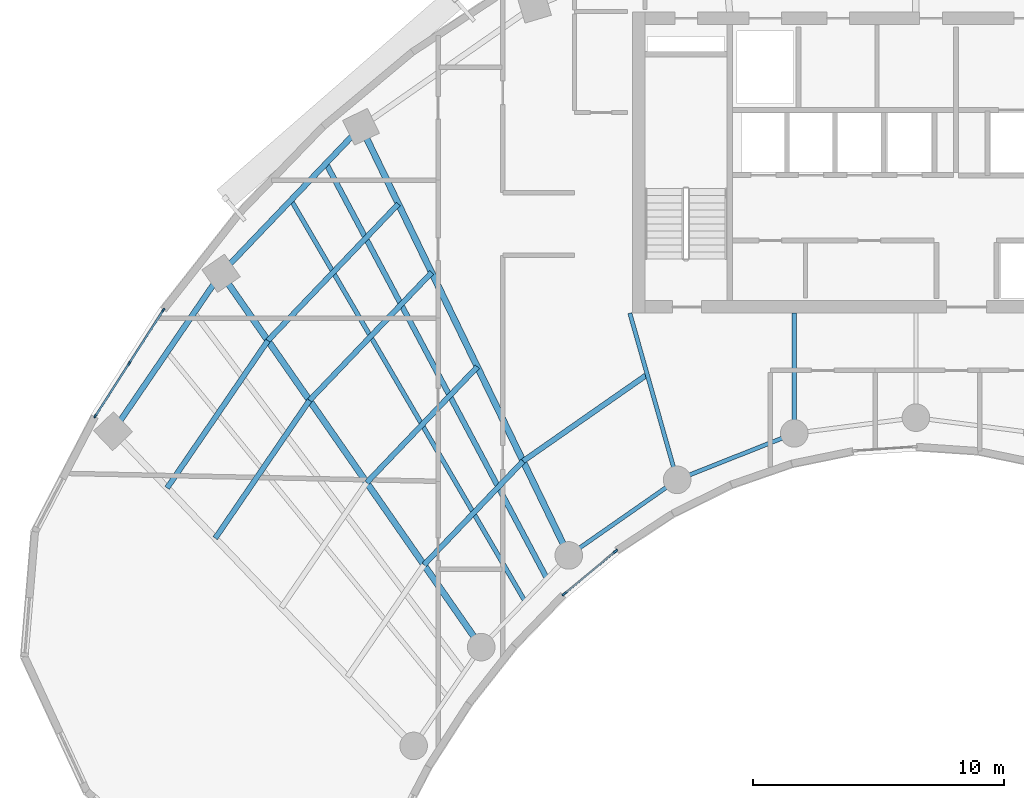
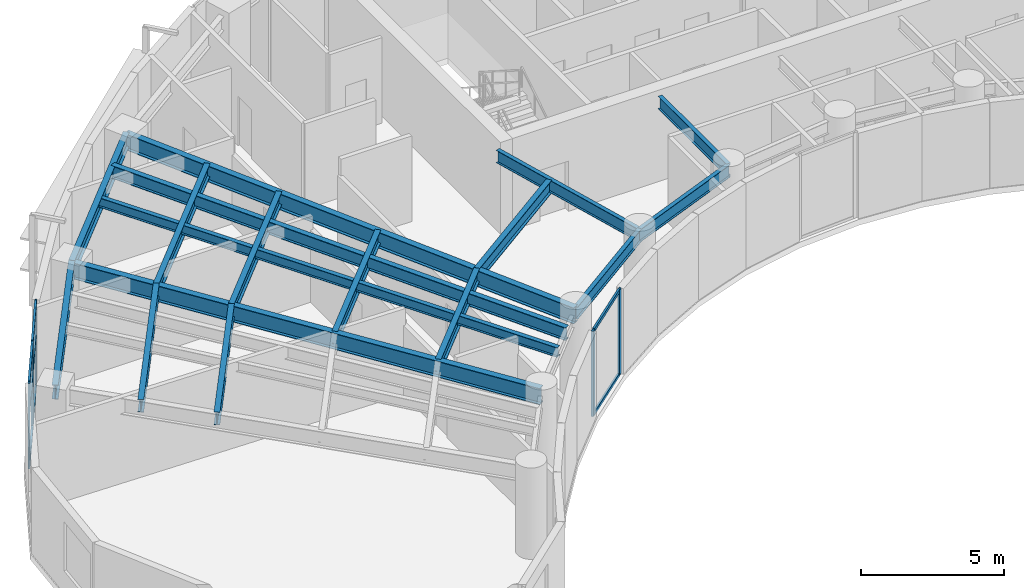
# One storey, part 2 of 13: 17 beams, 13 members, 2 elements without a shape of their own.
"""IFC4 building model written with IfcOpenShell, lengths in metres."""

from ifc_helpers import new_model, si_unit, direction, frame, origin, origin_2d, place, context, subcontext, project, spatial, rectangle, i_section, extrude, source, transform, mapped, material, layer, layer_set, material_profile, profile_set, type_object, type_shapes, element, aggregate, save


model = new_model("IFC4")

# Units and contexts
model_context = context("Model", 3, precision=1e-05, world=origin(), true_north=direction((0.0, 1.0)))
body_context = subcontext(model_context, "Body", "Model", "MODEL_VIEW")
ifc_project = project(units=[si_unit("LENGTHUNIT", "METRE"), si_unit("AREAUNIT", "SQUARE_METRE"), si_unit("VOLUMEUNIT", "CUBIC_METRE"), si_unit("PLANEANGLEUNIT", "RADIAN"), si_unit("MASSUNIT", "GRAM", prefix="KILO")], contexts=[model_context])

# Site, building, storey
site_placement = place(None, origin())
site = spatial("IfcSite", under=ifc_project, at=site_placement, CompositionType="ELEMENT")
building_placement = place(site_placement, origin())
building = spatial("IfcBuilding", under=site, at=building_placement, Name="Breltana Convention Tower", CompositionType="ELEMENT")
storey_placement = place(building_placement, frame((0.0, 0.0, 170.10009765625)))
storey = spatial("IfcBuildingStorey", under=building, at=storey_placement, Name="L41", CompositionType="ELEMENT", Elevation=170.10009765625)

# Beams
ifc_material_1 = material(Name="Steel ASTM A992 Grade 50", Category="steel")
ifc_material_profile_1 = material_profile(ifc_material_1, i_section(OverallWidth=0.179931640625, OverallDepth=0.4130859375, WebThickness=0.009765625, FlangeThickness=0.01611328125, at=origin_2d()), Name="W16X50")
ifc_profile_set_1 = profile_set([ifc_material_profile_1], Name="Steel ASTM A992 Grade 50")
beam_type_1 = type_object("IfcBeamType", Name="BM-JSG-08", PredefinedType="JOIST", material=ifc_profile_set_1)
shared_shape_1 = source(origin(), body_context, "Body", "SweptSolid", [
    extrude(i_section(OverallWidth=0.179931640625, OverallDepth=0.4130859375, WebThickness=0.009765625, FlangeThickness=0.01611328125, at=origin_2d()), origin(), (0.0, 0.0, 1.0), 18.50830078125),
])
beam_1_placement = place(storey_placement, frame((32.421630859375, 48.71875, 3.443359375), z_axis=(-0.50368319637, 0.863888440537, 0.0), x_axis=(-0.863888440537, -0.50368319637, 0.0)))
element("IfcBeam", 1, at=beam_1_placement, inside=storey, type_object=beam_type_1, Name="L41 Mid-Bay Radial Trimmer 02", PredefinedType="JOIST", context=body_context, shape_type="MappedRepresentation", body=[
    mapped(shared_shape_1, transform((0.0, 0.0, 0.0), scale=1.0)),
])
ifc_material_profile_2 = material_profile(ifc_material_1, i_section(OverallWidth=0.214111328125, OverallDepth=0.549072265625, WebThickness=0.0146484375, FlangeThickness=0.023681640625, at=origin_2d()), Name="W21X93")
ifc_profile_set_2 = profile_set([ifc_material_profile_2], Name="Steel ASTM A992 Grade 50")
beam_type_2 = type_object("IfcBeamType", Name="BM-JSG-03", PredefinedType="JOIST", material=ifc_profile_set_2)
shared_shape_2 = source(origin(), body_context, "Body", "SweptSolid", [
    extrude(i_section(OverallWidth=0.214111328125, OverallDepth=0.549072265625, WebThickness=0.0146484375, FlangeThickness=0.023681640625, at=origin_2d()), origin(), (0.0, 0.0, 1.0), 18.731689453125),
])
beam_2_placement = place(storey_placement, frame((33.2939453125, 49.6318359375, 3.37548828125), z_axis=(-0.469820250451, 0.882762104004, 0.0), x_axis=(-0.882762104004, -0.469820250451, 0.0)))
element("IfcBeam", 2, at=beam_2_placement, inside=storey, type_object=beam_type_2, Name="L41 Quarter-Bay Radial Trimmer 02", PredefinedType="JOIST", context=body_context, shape_type="MappedRepresentation", body=[
    mapped(shared_shape_2, transform((0.0, 0.0, 0.0), scale=1.0)),
])
shared_shape_3 = source(origin(), body_context, "Body", "SweptSolid", [
    extrude(i_section(OverallWidth=0.214111328125, OverallDepth=0.549072265625, WebThickness=0.0146484375, FlangeThickness=0.023681640625, at=origin_2d()), origin(), (0.0, 0.0, 1.0), 6.654541015625),
])
beam_3_placement = place(storey_placement, frame((20.0791015625, 51.23095703125, 3.37548828125), z_axis=(0.564482668195, 0.82544492082, 0.0), x_axis=(-0.82544492082, 0.564482668195, 0.0)))
element("IfcBeam", 3, at=beam_3_placement, inside=storey, type_object=beam_type_2, Name="L41 Composite Floor Joist 01.3", PredefinedType="JOIST", context=body_context, shape_type="MappedRepresentation", body=[
    mapped(shared_shape_3, transform((0.0, 0.0, 0.0), scale=1.0)),
])
shared_shape_4 = source(origin(), body_context, "Body", "SweptSolid", [
    extrude(i_section(OverallWidth=0.214111328125, OverallDepth=0.549072265625, WebThickness=0.0146484375, FlangeThickness=0.023681640625, at=origin_2d()), origin(), (0.0, 0.0, 1.0), 7.111328125),
])
beam_4_placement = place(storey_placement, frame((18.162841796875, 53.2373046875, 3.37548828125), z_axis=(0.564446356178, 0.825469751715, 0.0), x_axis=(-0.825469751715, 0.564446356178, 0.0)))
element("IfcBeam", 4, at=beam_4_placement, inside=storey, type_object=beam_type_2, Name="L41 Composite Floor Joist 01.4", PredefinedType="JOIST", context=body_context, shape_type="MappedRepresentation", body=[
    mapped(shared_shape_4, transform((0.0, 0.0, 0.0), scale=1.0)),
])
shared_shape_5 = source(origin(), body_context, "Body", "SweptSolid", [
    extrude(i_section(OverallWidth=0.214111328125, OverallDepth=0.549072265625, WebThickness=0.0146484375, FlangeThickness=0.023681640625, at=origin_2d()), origin(), (0.0, 0.0, 1.0), 5.716064453125),
])
beam_5_placement = place(storey_placement, frame((28.396484375, 50.169677734375, 3.37548828125), z_axis=(0.690756060045, 0.723087868458, 0.0), x_axis=(-0.723087868458, 0.690756060045, 0.0)))
element("IfcBeam", 5, at=beam_5_placement, inside=storey, type_object=beam_type_2, Name="L41 Composite Floor Joist 02.1", PredefinedType="JOIST", context=body_context, shape_type="MappedRepresentation", body=[
    mapped(shared_shape_5, transform((0.0, 0.0, 0.0), scale=1.0)),
])
shared_shape_6 = source(origin(), body_context, "Body", "SweptSolid", [
    extrude(i_section(OverallWidth=0.214111328125, OverallDepth=0.549072265625, WebThickness=0.0146484375, FlangeThickness=0.023681640625, at=origin_2d()), origin(), (0.0, 0.0, 1.0), 6.381103515625),
])
beam_6_placement = place(storey_placement, frame((26.115966796875, 53.44677734375, 3.37548828125), z_axis=(0.690737768889, 0.723105341309, 0.0), x_axis=(-0.723105341309, 0.690737768889, 0.0)))
element("IfcBeam", 6, at=beam_6_placement, inside=storey, type_object=beam_type_2, Name="L41 Composite Floor Joist 02.2", PredefinedType="JOIST", context=body_context, shape_type="MappedRepresentation", body=[
    mapped(shared_shape_6, transform((0.0, 0.0, 0.0), scale=1.0)),
])
shared_shape_7 = source(origin(), body_context, "Body", "SweptSolid", [
    extrude(i_section(OverallWidth=0.214111328125, OverallDepth=0.549072265625, WebThickness=0.0146484375, FlangeThickness=0.023681640625, at=origin_2d()), origin(), (0.0, 0.0, 1.0), 7.046142578125),
])
beam_7_placement = place(storey_placement, frame((23.83544921875, 56.723876953125, 3.37548828125), z_axis=(0.690722929904, 0.723119515782, 0.0), x_axis=(-0.723119515782, 0.690722929904, 0.0)))
element("IfcBeam", 7, at=beam_7_placement, inside=storey, type_object=beam_type_2, Name="L41 Composite Floor Joist 02.3", PredefinedType="JOIST", context=body_context, shape_type="MappedRepresentation", body=[
    mapped(shared_shape_7, transform((0.0, 0.0, 0.0), scale=1.0)),
])
shared_shape_8 = source(origin(), body_context, "Body", "SweptSolid", [
    extrude(i_section(OverallWidth=0.214111328125, OverallDepth=0.549072265625, WebThickness=0.0146484375, FlangeThickness=0.023681640625, at=origin_2d()), origin(), (0.0, 0.0, 1.0), 7.529541015625),
])
beam_8_placement = place(storey_placement, frame((22.1767578125, 59.107421875, 3.37548828125), z_axis=(0.690725562031, 0.723117001568, 0.0), x_axis=(-0.723117001568, 0.690725562031, 0.0)))
element("IfcBeam", 8, at=beam_8_placement, inside=storey, type_object=beam_type_2, Name="L41 Composite Floor Joist 02.4", PredefinedType="JOIST", context=body_context, shape_type="MappedRepresentation", body=[
    mapped(shared_shape_8, transform((0.0, 0.0, 0.0), scale=1.0)),
])
shared_shape_9 = source(origin(), body_context, "Body", "SweptSolid", [
    extrude(i_section(OverallWidth=0.214111328125, OverallDepth=0.549072265625, WebThickness=0.0146484375, FlangeThickness=0.023681640625, at=origin_2d()), origin(), (0.0, 0.0, 1.0), 5.959228515625),
])
beam_9_placement = place(storey_placement, frame((32.344970703125, 54.302978515625, 3.37548828125), z_axis=(0.820160485262, 0.572133531979, 0.0), x_axis=(-0.572133531979, 0.820160485262, 0.0)))
element("IfcBeam", 9, at=beam_9_placement, inside=storey, type_object=beam_type_2, Name="L41 Composite Floor Joist 03.1", PredefinedType="JOIST", context=body_context, shape_type="MappedRepresentation", body=[
    mapped(shared_shape_9, transform((0.0, 0.0, 0.0), scale=1.0)),
])
ifc_material_profile_3 = material_profile(ifc_material_1, i_section(OverallWidth=0.25390625, OverallDepth=0.68798828125, WebThickness=0.01318359375, FlangeThickness=0.02099609375, at=origin_2d()), Name="W27X102")
ifc_profile_set_3 = profile_set([ifc_material_profile_3], Name="Steel ASTM A992 Grade 50")
beam_type_3 = type_object("IfcBeamType", Name="BM-RG-W27X102", PredefinedType="USERDEFINED", material=ifc_profile_set_3)
shared_shape_10 = source(origin(), body_context, "Body", "SweptSolid", [
    extrude(i_section(OverallWidth=0.25390625, OverallDepth=0.68798828125, WebThickness=0.01318359375, FlangeThickness=0.02099609375, at=origin_2d()), origin(), (0.0, 0.0, 1.0), 18.1484375),
])
beam_10_placement = place(storey_placement, frame((30.67724609375, 46.892333984375, 3.305908203125), z_axis=(-0.571207556098, 0.820805657788, 0.0), x_axis=(-0.820805657788, -0.571207556098, 0.0)))
element("IfcBeam", 10, at=beam_10_placement, inside=storey, type_object=beam_type_3, Name="L41 Radial Floor Girder R02", ObjectType="GIRDER", PredefinedType="USERDEFINED", context=body_context, shape_type="MappedRepresentation", body=[
    mapped(shared_shape_10, transform((0.0, 0.0, 0.0), scale=1.0)),
])
shared_shape_11 = source(origin(), body_context, "Body", "SweptSolid", [
    extrude(i_section(OverallWidth=0.25390625, OverallDepth=0.68798828125, WebThickness=0.01318359375, FlangeThickness=0.02099609375, at=origin_2d()), origin(), (0.0, 0.0, 1.0), 18.982421875),
])
beam_11_placement = place(storey_placement, frame((34.166259765625, 50.544921875, 3.305908203125), z_axis=(-0.436118560343, 0.89988921614, 0.0), x_axis=(-0.89988921614, -0.436118560343, 0.0)))
element("IfcBeam", 11, at=beam_11_placement, inside=storey, type_object=beam_type_3, Name="L41 Radial Floor Girder R03", ObjectType="GIRDER", PredefinedType="USERDEFINED", context=body_context, shape_type="MappedRepresentation", body=[
    mapped(shared_shape_11, transform((0.0, 0.0, 0.0), scale=1.0)),
])
ifc_material_profile_4 = material_profile(ifc_material_1, i_section(OverallWidth=0.166015625, OverallDepth=0.534912109375, WebThickness=0.01025390625, FlangeThickness=0.0166015625, at=origin_2d()), Name="W21X57")
ifc_profile_set_4 = profile_set([ifc_material_profile_4], Name="Steel ASTM A992 Grade 50")
beam_type_4 = type_object("IfcBeamType", Name="BM-BM-W21X57", PredefinedType="BEAM", material=ifc_profile_set_4)
shared_shape_12 = source(origin(), body_context, "Body", "SweptSolid", [
    extrude(i_section(OverallWidth=0.166015625, OverallDepth=0.534912109375, WebThickness=0.01025390625, FlangeThickness=0.0166015625, at=origin_2d()), origin(), (0.0, 0.0, 1.0), 6.904541015625),
])
type_shapes(beam_type_4, [shared_shape_12])
beam_12_placement = place(storey_placement, frame((36.60009765625, 60.199951171875, 3.38232421875), z_axis=(0.273006781054, -0.962012108811, 0.0), x_axis=(0.962012108811, 0.273006781054, 0.0)))
element("IfcBeam", 12, at=beam_12_placement, inside=storey, type_object=beam_type_4, Name="L41 South Core Tie Girder R04", PredefinedType="BEAM", context=body_context, shape_type="MappedRepresentation", body=[
    mapped(shared_shape_12, transform((0.0, 0.0, 0.0), scale=1.0)),
])
shared_shape_13 = source(origin(), body_context, "Body", "SweptSolid", [
    extrude(i_section(OverallWidth=0.166015625, OverallDepth=0.534912109375, WebThickness=0.01025390625, FlangeThickness=0.0166015625, at=origin_2d()), origin(), (0.0, 0.0, 1.0), 4.789306640625),
])
beam_13_placement = place(storey_placement, frame((43.153564453125, 60.199951171875, 3.38232421875), z_axis=(0.0, -1.0, 0.0), x_axis=(1.0, 0.0, 0.0)))
element("IfcBeam", 13, at=beam_13_placement, inside=storey, type_object=beam_type_4, Name="L41 South Core Tie Girder R05", PredefinedType="BEAM", context=body_context, shape_type="MappedRepresentation", body=[
    mapped(shared_shape_13, transform((0.0, 0.0, 0.0), scale=1.0)),
])
ifc_material_profile_5 = material_profile(ifc_material_1, i_section(OverallWidth=0.22802734375, OverallDepth=0.60791015625, WebThickness=0.01123046875, FlangeThickness=0.017333984375, at=origin_2d()), Name="W24X76")
ifc_profile_set_5 = profile_set([ifc_material_profile_5], Name="Steel ASTM A992 Grade 50")
beam_type_5 = type_object("IfcBeamType", Name="BM-SP-W24X76", PredefinedType="SPANDREL", material=ifc_profile_set_5)
shared_shape_14 = source(origin(), body_context, "Body", "SweptSolid", [
    extrude(i_section(OverallWidth=0.22802734375, OverallDepth=0.60791015625, WebThickness=0.01123046875, FlangeThickness=0.017333984375, at=origin_2d()), origin(), (0.0, 0.0, 1.0), 7.625),
])
type_shapes(beam_type_5, [shared_shape_14])
beam_14_placement = place(storey_placement, frame((16.0068359375, 55.494384765625, 3.345947265625), z_axis=(0.564452031902, 0.825465870694, 0.0), x_axis=(-0.825465870694, 0.564452031902, 0.0)))
element("IfcBeam", 14, at=beam_14_placement, inside=storey, type_object=beam_type_5, Name="L41 Outer Spandrel Beam 01", PredefinedType="SPANDREL", context=body_context, shape_type="MappedRepresentation", body=[
    mapped(shared_shape_14, transform((0.0, 0.0, 0.0), scale=1.0)),
])
shared_shape_15 = source(origin(), body_context, "Body", "SweptSolid", [
    extrude(i_section(OverallWidth=0.22802734375, OverallDepth=0.60791015625, WebThickness=0.01123046875, FlangeThickness=0.017333984375, at=origin_2d()), origin(), (0.0, 0.0, 1.0), 8.073974609375),
])
beam_15_placement = place(storey_placement, frame((20.310791015625, 61.78857421875, 3.345947265625), z_axis=(0.69072885448, 0.723113856588, 0.0), x_axis=(-0.723113856588, 0.69072885448, 0.0)))
element("IfcBeam", 15, at=beam_15_placement, inside=storey, type_object=beam_type_5, Name="L41 Outer Spandrel Beam 02", PredefinedType="SPANDREL", context=body_context, shape_type="MappedRepresentation", body=[
    mapped(shared_shape_15, transform((0.0, 0.0, 0.0), scale=1.0)),
])
shared_shape_16 = source(origin(), body_context, "Body", "SweptSolid", [
    extrude(i_section(OverallWidth=0.166015625, OverallDepth=0.534912109375, WebThickness=0.01025390625, FlangeThickness=0.0166015625, at=origin_2d()), origin(), (0.0, 0.0, 1.0), 5.265869140625),
])
beam_16_placement = place(storey_placement, frame((34.166259765625, 50.544921875, 3.38232421875), z_axis=(0.820167429517, 0.572123577176, 0.0), x_axis=(-0.572123577176, 0.820167429517, 0.0)))
element("IfcBeam", 16, at=beam_16_placement, inside=storey, type_object=beam_type_4, Name="L41 Inner Ring Beam 03", PredefinedType="BEAM", context=body_context, shape_type="MappedRepresentation", body=[
    mapped(shared_shape_16, transform((0.0, 0.0, 0.0), scale=1.0)),
])
shared_shape_17 = source(origin(), body_context, "Body", "SweptSolid", [
    extrude(i_section(OverallWidth=0.166015625, OverallDepth=0.534912109375, WebThickness=0.01025390625, FlangeThickness=0.0166015625, at=origin_2d()), origin(), (0.0, 0.0, 1.0), 5.022705078125),
])
beam_17_placement = place(storey_placement, frame((38.485107421875, 53.5576171875, 3.38232421875), z_axis=(0.929458966248, 0.368925507469, 0.0), x_axis=(-0.368925507469, 0.929458966248, 0.0)))
element("IfcBeam", 17, at=beam_17_placement, inside=storey, type_object=beam_type_4, Name="L41 Inner Ring Beam 04", PredefinedType="BEAM", context=body_context, shape_type="MappedRepresentation", body=[
    mapped(shared_shape_17, transform((0.0, 0.0, 0.0), scale=1.0)),
])

# Curtain wall, members
ifc_material_2 = material(Name="Aluminium Anodised Bronze Frame", Category="aluminium")
ifc_layer_1 = layer(ifc_material_2, 0.18994140625, Name="Aluminium Anodised Bronze Frame")
ifc_layer_set_1 = layer_set([ifc_layer_1], Name="Aluminium Anodised Bronze Frame")
curtain_wall_type_1 = type_object("IfcCurtainWallType", Name="CW-SYS-1", PredefinedType="NOTDEFINED", material=ifc_layer_set_1)
curtain_wall_1_placement = place(storey_placement, origin())
curtain_wall_1 = element("IfcCurtainWall", 18, at=curtain_wall_1_placement, inside=storey, type_object=curtain_wall_type_1, Name="L41 inner south-court glazing 5", PredefinedType="NOTDEFINED")
ifc_material_3 = material(Name="Aluminium Anodised Bronze", Category="aluminium")
ifc_material_profile_6 = material_profile(ifc_material_3, rectangle(XDim=0.080078125, YDim=0.199951171875, at=origin_2d()), Name="CWM-80X200")
ifc_profile_set_6 = profile_set([ifc_material_profile_6], Name="Aluminium Anodised Bronze")
member_type_1 = type_object("IfcMemberType", Name="CWM-200", PredefinedType="MULLION", material=ifc_profile_set_6)
shared_shape_18 = source(origin(), body_context, "Body", "SweptSolid", [
    extrude(rectangle(XDim=0.080078125, YDim=0.199951171875, at=origin_2d()), origin(), (0.0, 0.0, 1.0), 3.64990234375),
])
member_1_placement = place(storey_placement, frame((36.024658203125, 50.709228515625, 0.0), z_axis=(0.0, 0.0, 1.0), x_axis=(0.640537495741, -0.767926895316, 0.0)))
member_1 = element("IfcMember", 19, at=member_1_placement, type_object=member_type_1, Name="CW-01 mullion 1", PredefinedType="MULLION", context=body_context, shape_type="MappedRepresentation", body=[
    mapped(shared_shape_18, transform((0.0, 0.0, 0.0), scale=1.0)),
])
member_2_placement = place(storey_placement, frame((33.989990234375, 49.01220703125, 0.0), z_axis=(0.0, 0.0, 1.0), x_axis=(0.640537495741, -0.767926895316, 0.0)))
member_2 = element("IfcMember", 20, at=member_2_placement, type_object=member_type_1, Name="CW-01 mullion 2", PredefinedType="MULLION", context=body_context, shape_type="MappedRepresentation", body=[
    mapped(shared_shape_18, transform((0.0, 0.0, 0.0), scale=1.0)),
])

ifc_layer_2 = layer(ifc_material_2, 0.2099609375, Name="Aluminium Anodised Bronze Frame")
ifc_layer_set_2 = layer_set([ifc_layer_2], Name="Aluminium Anodised Bronze Frame")
curtain_wall_type_2 = type_object("IfcCurtainWallType", Name="CW-SYS-3", PredefinedType="NOTDEFINED", material=ifc_layer_set_2)
curtain_wall_2_placement = place(storey_placement, origin())
curtain_wall_2 = element("IfcCurtainWall", 21, at=curtain_wall_2_placement, inside=storey, type_object=curtain_wall_type_2, Name="L41 outer double-skin inner glazing 1", PredefinedType="NOTDEFINED")
ifc_material_profile_7 = material_profile(ifc_material_3, rectangle(XDim=0.070068359375, YDim=0.175048828125, at=origin_2d()), Name="CWM-70X175")
ifc_profile_set_7 = profile_set([ifc_material_profile_7], Name="Aluminium Anodised Bronze")
member_type_2 = type_object("IfcMemberType", Name="CWM-175", PredefinedType="MULLION", material=ifc_profile_set_7)
shared_shape_19 = source(origin(), body_context, "Body", "SweptSolid", [
    extrude(rectangle(XDim=0.070068359375, YDim=0.175048828125, at=origin_2d()), origin(), (0.0, 0.0, 1.0), 3.64990234375),
])
member_3_placement = place(storey_placement, frame((15.304443359375, 56.10498046875, 0.0), z_axis=(0.0, 0.0, 1.0), x_axis=(-0.841554203529, 0.54017267843, 0.0)))
member_3 = element("IfcMember", 22, at=member_3_placement, type_object=member_type_2, Name="CW-03 mullion 1", PredefinedType="MULLION", context=body_context, shape_type="MappedRepresentation", body=[
    mapped(shared_shape_19, transform((0.0, 0.0, 0.0), scale=1.0)),
])
member_4_placement = place(storey_placement, frame((16.6533203125, 58.20654296875, 0.0), z_axis=(0.0, 0.0, 1.0), x_axis=(-0.841554203529, 0.54017267843, 0.0)))
member_4 = element("IfcMember", 23, at=member_4_placement, type_object=member_type_2, Name="CW-03 mullion 2", PredefinedType="MULLION", context=body_context, shape_type="MappedRepresentation", body=[
    mapped(shared_shape_19, transform((0.0, 0.0, 0.0), scale=1.0)),
])
member_5_placement = place(storey_placement, frame((18.00244140625, 60.308349609375, 0.0), z_axis=(0.0, 0.0, 1.0), x_axis=(-0.841554203529, 0.54017267843, 0.0)))
member_5 = element("IfcMember", 24, at=member_5_placement, type_object=member_type_2, Name="CW-03 mullion 3", PredefinedType="MULLION", context=body_context, shape_type="MappedRepresentation", body=[
    mapped(shared_shape_19, transform((0.0, 0.0, 0.0), scale=1.0)),
])

# Member
ifc_material_profile_8 = material_profile(ifc_material_3, rectangle(XDim=0.080078125, YDim=0.139892578125, at=origin_2d()), Name="CWT-80X140")
ifc_profile_set_8 = profile_set([ifc_material_profile_8], Name="Aluminium Anodised Bronze")
member_type_3 = type_object("IfcMemberType", Name="CWT-140", PredefinedType="USERDEFINED", material=ifc_profile_set_8)
shared_shape_20 = source(origin(), body_context, "Body", "SweptSolid", [
    extrude(rectangle(XDim=0.080078125, YDim=0.139892578125, at=origin_2d()), origin(), (0.0, 0.0, 1.0), 2.5693359375),
])
member_6_placement = place(storey_placement, frame((35.993896484375, 50.68359375, 0.039794921875), z_axis=(-0.767940822982, -0.640520797788, 0.0), x_axis=(0.640520797788, -0.767940822982, 0.0)))
member_6 = element("IfcMember", 25, at=member_6_placement, type_object=member_type_3, Name="CW-01 transom 1.1", ObjectType="TRANSOM", PredefinedType="USERDEFINED", context=body_context, shape_type="MappedRepresentation", body=[
    mapped(shared_shape_20, transform((0.0, 0.0, 0.0), scale=1.0)),
])

member_7_placement = place(storey_placement, frame((35.993896484375, 50.68359375, 3.60986328125), z_axis=(-0.767940822982, -0.640520797788, 0.0), x_axis=(0.640520797788, -0.767940822982, 0.0)))
member_7 = element("IfcMember", 26, at=member_7_placement, type_object=member_type_3, Name="CW-01 transom 1.2", ObjectType="TRANSOM", PredefinedType="USERDEFINED", context=body_context, shape_type="MappedRepresentation", body=[
    mapped(shared_shape_20, transform((0.0, 0.0, 0.0), scale=1.0)),
])

aggregate(curtain_wall_1, [member_1, member_2, member_6, member_7])

shared_shape_21 = source(origin(), body_context, "Body", "SweptSolid", [
    extrude(rectangle(XDim=0.080078125, YDim=0.139892578125, at=origin_2d()), origin(), (0.0, 0.0, 1.0), 2.427490234375),
])
member_8_placement = place(storey_placement, frame((15.3232421875, 56.134521484375, 0.039794921875), z_axis=(0.540203388332, 0.841534490817, 0.0), x_axis=(-0.841534490817, 0.540203388332, 0.0)))
member_8 = element("IfcMember", 27, at=member_8_placement, type_object=member_type_3, Name="CW-03 transom 1.1", ObjectType="TRANSOM", PredefinedType="USERDEFINED", context=body_context, shape_type="MappedRepresentation", body=[
    mapped(shared_shape_21, transform((0.0, 0.0, 0.0), scale=1.0)),
])

member_9_placement = place(storey_placement, frame((15.3232421875, 56.134521484375, 2.372314453125), z_axis=(0.540203388332, 0.841534490817, 0.0), x_axis=(-0.841534490817, 0.540203388332, 0.0)))
member_9 = element("IfcMember", 28, at=member_9_placement, type_object=member_type_3, Name="CW-03 transom 1.2", ObjectType="TRANSOM", PredefinedType="USERDEFINED", context=body_context, shape_type="MappedRepresentation", body=[
    mapped(shared_shape_21, transform((0.0, 0.0, 0.0), scale=1.0)),
])

member_10_placement = place(storey_placement, frame((15.3232421875, 56.134521484375, 3.60986328125), z_axis=(0.540203388332, 0.841534490817, 0.0), x_axis=(-0.841534490817, 0.540203388332, 0.0)))
member_10 = element("IfcMember", 29, at=member_10_placement, type_object=member_type_3, Name="CW-03 transom 1.3", ObjectType="TRANSOM", PredefinedType="USERDEFINED", context=body_context, shape_type="MappedRepresentation", body=[
    mapped(shared_shape_21, transform((0.0, 0.0, 0.0), scale=1.0)),
])

shared_shape_22 = source(origin(), body_context, "Body", "SweptSolid", [
    extrude(rectangle(XDim=0.080078125, YDim=0.139892578125, at=origin_2d()), origin(), (0.0, 0.0, 1.0), 2.42724609375),
])
member_11_placement = place(storey_placement, frame((16.67236328125, 58.236083984375, 0.039794921875), z_axis=(0.540132155308, 0.841580212934, 0.0), x_axis=(-0.841580212934, 0.540132155308, 0.0)))
member_11 = element("IfcMember", 30, at=member_11_placement, type_object=member_type_3, Name="CW-03 transom 2.1", ObjectType="TRANSOM", PredefinedType="USERDEFINED", context=body_context, shape_type="MappedRepresentation", body=[
    mapped(shared_shape_22, transform((0.0, 0.0, 0.0), scale=1.0)),
])

member_12_placement = place(storey_placement, frame((16.67236328125, 58.236083984375, 2.372314453125), z_axis=(0.540132155308, 0.841580212934, 0.0), x_axis=(-0.841580212934, 0.540132155308, 0.0)))
member_12 = element("IfcMember", 31, at=member_12_placement, type_object=member_type_3, Name="CW-03 transom 2.2", ObjectType="TRANSOM", PredefinedType="USERDEFINED", context=body_context, shape_type="MappedRepresentation", body=[
    mapped(shared_shape_22, transform((0.0, 0.0, 0.0), scale=1.0)),
])

member_13_placement = place(storey_placement, frame((16.67236328125, 58.236083984375, 3.60986328125), z_axis=(0.540132155308, 0.841580212934, 0.0), x_axis=(-0.841580212934, 0.540132155308, 0.0)))
member_13 = element("IfcMember", 32, at=member_13_placement, type_object=member_type_3, Name="CW-03 transom 2.3", ObjectType="TRANSOM", PredefinedType="USERDEFINED", context=body_context, shape_type="MappedRepresentation", body=[
    mapped(shared_shape_22, transform((0.0, 0.0, 0.0), scale=1.0)),
])

aggregate(curtain_wall_2, [member_3, member_4, member_5, member_8, member_9, member_10, member_11, member_12, member_13])

save(model, "model.ifc")
